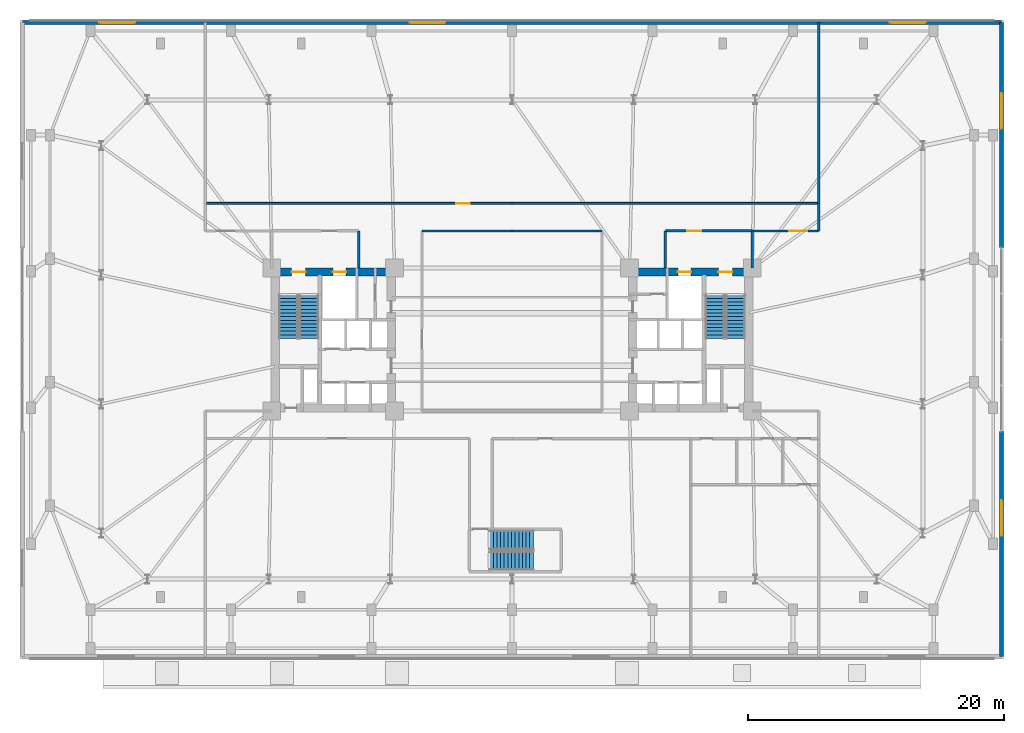
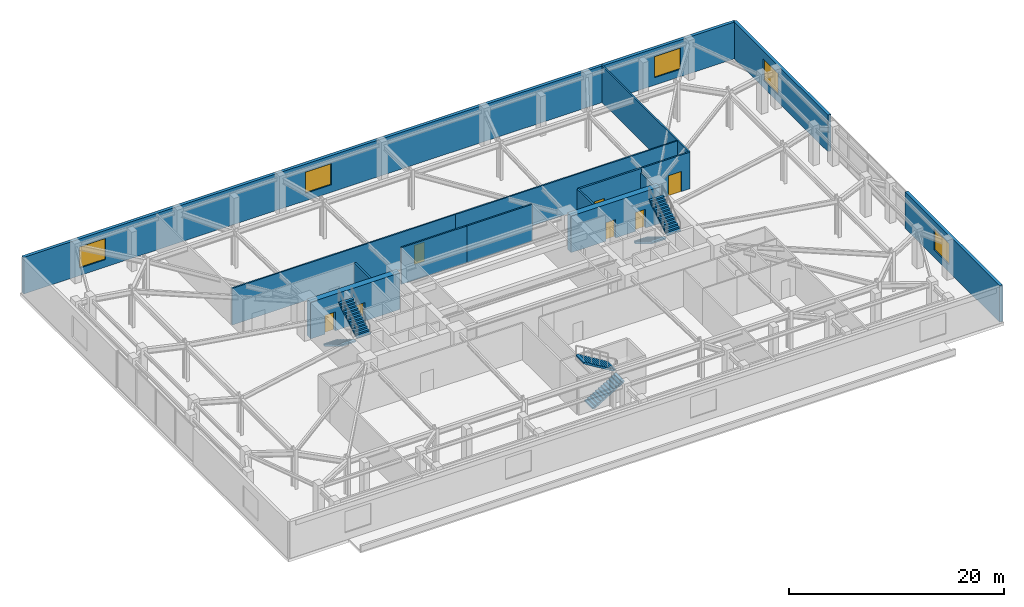
# One storey, part 17 of 21: 16 walls, 7 doors, 6 stair flights, 5 windows, 12 openings, 3 elements without a shape of their own.
"""IFC4 building model written with IfcOpenShell, lengths in metres."""

import ifcopenshell
import ifcopenshell.guid

model = None  # the IFC model being written
_history = None  # IfcOwnerHistory: only IFC2X3 demands one
_inside = {}  # id of a spatial element -> (the spatial element, [elements in it])
_under = {}  # id of a project, library or spatial element -> (it, [spatial elements below it])
_declared = {}  # id of a project -> (the project, [libraries it declares])
_typed = {}  # id of a type object -> (the type object, [elements of that type])
_made_of = {}  # id of a material, layer set ... -> (it, [elements and type objects made of it])


def new_model(schema):
    """Start an empty IFC model of exactly this schema.

    Asked for "IFC4X3", IfcOpenShell would pick the latest addendum, in which some entities
    have other attributes; the version numbers below select the first issue.
    IFC2X3 requires an IfcOwnerHistory on every rooted entity: one is made here for all.
    """
    global model, _history
    if schema == "IFC4X3":
        model = ifcopenshell.file(schema_version=(4, 3, 0, 0))
    else:
        model = ifcopenshell.file(schema=schema)
    _inside.clear()
    _under.clear()
    _declared.clear()
    _typed.clear()
    _made_of.clear()
    _history = None
    if model.schema == "IFC2X3":
        org = make("IfcOrganization", Name="unknown")
        user = make(
            "IfcPersonAndOrganization",
            ThePerson=make("IfcPerson", FamilyName="unknown"),
            TheOrganization=org,
        )
        app = make(
            "IfcApplication",
            ApplicationDeveloper=org,
            Version="unknown",
            ApplicationFullName="unknown",
            ApplicationIdentifier="unknown",
        )
        _history = make(
            "IfcOwnerHistory",
            OwningUser=user,
            OwningApplication=app,
            ChangeAction="ADDED",
            CreationDate=0,
        )
    return model


def make(cls, **values):
    """One entity of the class cls with the attributes given. An attribute that is None is left unset."""
    return model.create_entity(
        cls, **{name: value for name, value in values.items() if value is not None}
    )


def rooted(cls, **values):
    """An entity with a GlobalId (a new one), such as an element, a storey or a relation."""
    return make(cls, GlobalId=ifcopenshell.guid.new(), OwnerHistory=_history, **values)


def si_unit(unit_type, name, prefix=None):
    """IfcSIUnit, for example si_unit("LENGTHUNIT", "METRE", prefix="MILLI")."""
    return make("IfcSIUnit", UnitType=unit_type, Prefix=prefix, Name=name)


def assignment(units):
    """IfcUnitAssignment: the units of a project."""
    return None if units is None else make("IfcUnitAssignment", Units=units)


def point(xyz):
    """IfcCartesianPoint."""
    return None if xyz is None else make("IfcCartesianPoint", Coordinates=xyz)


def direction(xyz):
    """IfcDirection."""
    return None if xyz is None else make("IfcDirection", DirectionRatios=xyz)


def frame(location, z_axis=None, x_axis=None):
    """IfcAxis2Placement3D, a coordinate frame: its origin and axes. An axis left out is left unset."""
    return make(
        "IfcAxis2Placement3D",
        Location=point(location),
        Axis=direction(z_axis),
        RefDirection=direction(x_axis),
    )


def frame_2d(location, x_axis=None):
    """IfcAxis2Placement2D, a coordinate frame in the plane: its origin and x axis."""
    return make(
        "IfcAxis2Placement2D", Location=point(location), RefDirection=direction(x_axis)
    )


def origin():
    """The frame at (0, 0, 0) with its axes left unset."""
    return frame((0.0, 0.0, 0.0))


def place(relative_to, where):
    """IfcLocalPlacement: puts the frame where relative to a parent placement (None: the world)."""
    return make(
        "IfcLocalPlacement", PlacementRelTo=relative_to, RelativePlacement=where
    )


def context(
    kind, dimensions, precision=None, world=None, true_north=None, identifier=None
):
    """IfcGeometricRepresentationContext, for example the 3D "Model" context."""
    return make(
        "IfcGeometricRepresentationContext",
        ContextIdentifier=identifier,
        ContextType=kind,
        CoordinateSpaceDimension=dimensions,
        Precision=precision,
        WorldCoordinateSystem=world,
        TrueNorth=true_north,
    )


def subcontext(parent, identifier, kind, view, scale=None):
    """IfcGeometricRepresentationSubContext, for example "Body" below "Model"."""
    return make(
        "IfcGeometricRepresentationSubContext",
        ContextIdentifier=identifier,
        ContextType=kind,
        ParentContext=parent,
        TargetScale=scale,
        TargetView=view,
    )


def project(units=None, contexts=None):
    """IfcProject with its units and contexts."""
    return rooted(
        "IfcProject",
        Name="project",
        RepresentationContexts=contexts,
        UnitsInContext=assignment(units),
    )


def spatial(cls, under=None, at=None, **own):
    """A site, building, storey or space (cls), placed at a placement, below another one or the project."""
    s = rooted(cls, ObjectPlacement=at, **own)
    if under is not None:
        _under.setdefault(under.id(), (under, []))[1].append(s)
    return s


def polyline(points):
    """IfcPolyline through the points."""
    return make("IfcPolyline", Points=[point(p) for p in points])


def profile(cls, at=None, kind="AREA", **sizes):
    """A parametric profile (cls). Its sizes go by their IFC names, for example OverallWidth=200.0."""
    return make(cls, ProfileType=kind, Position=at, **sizes)


def rectangle(**sizes):
    """IfcRectangleProfileDef."""
    return profile("IfcRectangleProfileDef", **sizes)


def outline(outer, holes=None, kind="AREA"):
    """IfcArbitraryClosedProfileDef: a profile drawn as a closed curve; with holes, ...WithVoids."""
    if holes is None:
        return make("IfcArbitraryClosedProfileDef", ProfileType=kind, OuterCurve=outer)
    return make(
        "IfcArbitraryProfileDefWithVoids",
        ProfileType=kind,
        OuterCurve=outer,
        InnerCurves=holes,
    )


def extrude(swept, where, along, depth):
    """IfcExtrudedAreaSolid: the profile swept, set in the frame where, extruded along a direction by depth."""
    return make(
        "IfcExtrudedAreaSolid",
        SweptArea=swept,
        Position=where,
        ExtrudedDirection=direction(along),
        Depth=depth,
    )


def shape(context_of_items, identifier, shape_type, items):
    """IfcShapeRepresentation: the items that make up one representation, for example the "Body"."""
    return make(
        "IfcShapeRepresentation",
        ContextOfItems=context_of_items,
        RepresentationIdentifier=identifier,
        RepresentationType=shape_type,
        Items=items,
    )


def material(Name=None, Category=None):
    """IfcMaterial."""
    return make("IfcMaterial", Name=Name, Category=Category)


def layer(
    of_material, thickness, ventilated=None, Name=None, Category=None, Priority=None
):
    """IfcMaterialLayer: one layer of a wall or slab, of a material (None: an air gap)."""
    return make(
        "IfcMaterialLayer",
        Material=of_material,
        LayerThickness=thickness,
        IsVentilated=ventilated,
        Name=Name,
        Category=Category,
        Priority=Priority,
    )


def layer_set(layers, Name=None):
    """IfcMaterialLayerSet."""
    return make("IfcMaterialLayerSet", MaterialLayers=layers, LayerSetName=Name)


def made_of(thing, what):
    """Note that an element or type object is made of a material, layer set ...; save() writes the relation."""
    if what is not None:
        _made_of.setdefault(what.id(), (what, []))[1].append(thing)
    return thing


def type_object(cls, material=None, **own):
    """A type object (cls), such as IfcWallType, which elements share."""
    return made_of(rooted(cls, **own), material)


def element(
    cls,
    number,
    at=None,
    inside=None,
    cuts=None,
    type_object=None,
    material=None,
    context=None,
    identifier="Body",
    shape_type=None,
    held_by="IfcProductDefinitionShape",
    body=None,
    shapes=None,
    **own,
):
    """One element of the class cls, such as IfcWall. Its Tag is "e" and its number.

    at: its placement. inside: the storey or other place that contains it. cuts: it is an
    opening in that element (IfcRelVoidsElement). A single representation is given by context,
    identifier, shape_type and body (its items); several are given by shapes. held_by: the class
    of the entity that holds the representations. save() writes the other relations.
    """
    e = rooted(cls, Tag="e%d" % number, ObjectPlacement=at, **own)
    if body is not None:
        shapes = [shape(context, identifier, shape_type, body)]
    if shapes is not None:
        e.Representation = make(held_by, Representations=shapes)
    if inside is not None:
        _inside.setdefault(inside.id(), (inside, []))[1].append(e)
    if cuts is not None:
        rooted(
            "IfcRelVoidsElement", RelatingBuildingElement=cuts, RelatedOpeningElement=e
        )
    if type_object is not None:
        _typed.setdefault(type_object.id(), (type_object, []))[1].append(e)
    return made_of(e, material)


def fill(opening, filler):
    """IfcRelFillsElement: the door or window that sits in an opening."""
    return rooted(
        "IfcRelFillsElement",
        RelatingOpeningElement=opening,
        RelatedBuildingElement=filler,
    )


def aggregate(whole, parts):
    """IfcRelAggregates: a whole, such as a stair, and the parts it consists of."""
    return rooted("IfcRelAggregates", RelatingObject=whole, RelatedObjects=parts)


def save(model, path):
    """Write the relations noted so far, then the file.

    IfcRelAggregates (storeys below a building ...), IfcRelContainedInSpatialStructure (elements
    in a storey), IfcRelDefinesByType, IfcRelAssociatesMaterial and IfcRelDeclares: one each for
    every whole, place, type object, material and project.
    """
    for whole, parts in _under.values():
        aggregate(whole, parts)
    for where, things in _inside.values():
        rooted(
            "IfcRelContainedInSpatialStructure",
            RelatedElements=things,
            RelatingStructure=where,
        )
    for kind, things in _typed.values():
        rooted("IfcRelDefinesByType", RelatedObjects=things, RelatingType=kind)
    for what, things in _made_of.values():
        rooted("IfcRelAssociatesMaterial", RelatedObjects=things, RelatingMaterial=what)
    for by, libraries in _declared.values():
        rooted("IfcRelDeclares", RelatingContext=by, RelatedDefinitions=libraries)
    model.write(path)


model = new_model("IFC4")

# Units and contexts
model_context = context("Model", 3, precision=1e-05, world=origin(), true_north=direction((0.0, 1.0)))
body_context = subcontext(model_context, "Body", "Model", "MODEL_VIEW")
ifc_project = project(units=[si_unit("LENGTHUNIT", "METRE"), si_unit("AREAUNIT", "SQUARE_METRE"), si_unit("VOLUMEUNIT", "CUBIC_METRE"), si_unit("PLANEANGLEUNIT", "RADIAN"), si_unit("MASSUNIT", "GRAM", prefix="KILO")], contexts=[model_context])

# Site, building, storey
site_placement = place(None, origin())
site = spatial("IfcSite", under=ifc_project, at=site_placement, CompositionType="ELEMENT")
building_placement = place(site_placement, origin())
building = spatial("IfcBuilding", under=site, at=building_placement, Name="Qobustan Lattice House", CompositionType="ELEMENT")
storey_placement = place(building_placement, frame((0.0, 0.0, 4.5)))
storey = spatial("IfcBuildingStorey", under=building, at=storey_placement, Name="L01", CompositionType="ELEMENT", Elevation=4.5)

# Wall, openings, doors
ifc_material_1 = material(Name="Concrete C60/75", Category="concrete")
ifc_layer_1 = layer(ifc_material_1, 0.639892578125)
ifc_layer_set_1 = layer_set([ifc_layer_1], Name="Concrete C60/75")
wall_type_1 = type_object("IfcWallType", Name="WAL-CORE-640", PredefinedType="SHEAR", material=ifc_layer_set_1)
wall_1_placement = place(storey_placement, frame((-18.800048828125, 5.280029296875, 0.0), z_axis=(0.0, 0.0, 1.0), x_axis=(1.0, 0.0, 0.0)))
wall_1 = element("IfcWall", 1, at=wall_1_placement, inside=storey, type_object=wall_type_1, Name="L01 split-core shear wall CW-N", PredefinedType="SHEAR", context=body_context, shape_type="SweptSolid", body=[
    extrude(rectangle(XDim=9.60009765625, YDim=0.639892578125, at=frame_2d((4.800048828125, 0.0))), origin(), (0.0, 0.0, 1.0), 4.169921875),
])
opening_1_placement = place(wall_1_placement, frame((1.550048828125, 0.0, 0.0)))
opening_1 = element("IfcOpeningElement", 2, at=opening_1_placement, cuts=wall_1, Name="Opening SD-01", PredefinedType="OPENING", context=body_context, shape_type="SweptSolid", body=[
    extrude(rectangle(XDim=1.10009765625, YDim=2.14990234375, at=frame_2d((0.550048828125, 1.074951171875))), frame((0.0, 0.329833984375, 0.0), z_axis=(0.0, -1.0, 0.0), x_axis=(1.0, 0.0, 0.0)), (0.0, 0.0, 1.0), 0.659912109375),
])
opening_2_placement = place(wall_1_placement, frame((4.77490234375, 0.0, 0.0)))
opening_2 = element("IfcOpeningElement", 3, at=opening_2_placement, cuts=wall_1, Name="Opening LD-01", PredefinedType="OPENING", context=body_context, shape_type="SweptSolid", body=[
    extrude(rectangle(XDim=1.050048828125, YDim=2.10009765625, at=frame_2d((0.52490234375, 1.050048828125))), frame((0.0, 0.329833984375, 0.0), z_axis=(0.0, -1.0, 0.0), x_axis=(1.0, 0.0, 0.0)), (0.0, 0.0, 1.0), 0.659912109375),
])
ifc_material_2 = material(Name="Persian walnut timber and steel frame door", Category="steel")
door_type_1 = type_object("IfcDoorType", Name="DOR-LIFT-LD-1050x2100", OperationType="NOTDEFINED", PredefinedType="DOOR", material=ifc_material_2)
door_1_placement = place(opening_2_placement, origin())
door_1 = element("IfcDoor", 4, at=door_1_placement, inside=storey, type_object=door_type_1, Name="L01 firefighting lift FF-W landing door", OperationType="DOUBLE_DOOR_SLIDING", OverallHeight=2.10009765625, OverallWidth=1.050048828125, PredefinedType="DOOR", context=body_context, shape_type="SweptSolid", body=[
    extrude(rectangle(XDim=1.050048828125, YDim=2.10009765625, at=frame_2d((0.52490234375, 1.050048828125))), frame((0.0, 0.02490234375, 0.0), z_axis=(0.0, -1.0, 0.0), x_axis=(1.0, 0.0, 0.0)), (0.0, 0.0, 1.0), 0.050048828125),
])
fill(opening_2, door_1)
ifc_material_3 = material(Name="Persian walnut timber and steel frame door", Category="steel")
door_type_2 = type_object("IfcDoorType", Name="DOR-STAIR-FD-1100x2150", OperationType="NOTDEFINED", PredefinedType="DOOR", material=ifc_material_3)
door_2_placement = place(opening_1_placement, origin())
door_2 = element("IfcDoor", 5, at=door_2_placement, inside=storey, type_object=door_type_2, Name="L01 exit stair ST-W1 fire door", OperationType="SINGLE_SWING_LEFT", OverallHeight=2.14990234375, OverallWidth=1.10009765625, PredefinedType="DOOR", context=body_context, shape_type="SweptSolid", body=[
    extrude(rectangle(XDim=1.10009765625, YDim=2.14990234375, at=frame_2d((0.550048828125, 1.074951171875))), frame((0.0, 0.02490234375, 0.0), z_axis=(0.0, -1.0, 0.0), x_axis=(1.0, 0.0, 0.0)), (0.0, 0.0, 1.0), 0.050048828125),
])
fill(opening_1, door_2)

wall_2_placement = place(storey_placement, frame((9.199951171875, 5.280029296875, 0.0), z_axis=(0.0, 0.0, 1.0), x_axis=(1.0, 0.0, 0.0)))
wall_2 = element("IfcWall", 6, at=wall_2_placement, inside=storey, type_object=wall_type_1, Name="L01 split-core shear wall CE-N", PredefinedType="SHEAR", context=body_context, shape_type="SweptSolid", body=[
    extrude(rectangle(XDim=9.60009765625, YDim=0.639892578125, at=frame_2d((4.800048828125, 0.0))), origin(), (0.0, 0.0, 1.0), 4.169921875),
])
opening_3_placement = place(wall_2_placement, frame((6.949951171875, 0.0, 0.0)))
opening_3 = element("IfcOpeningElement", 7, at=opening_3_placement, cuts=wall_2, Name="Opening SD-01", PredefinedType="OPENING", context=body_context, shape_type="SweptSolid", body=[
    extrude(rectangle(XDim=1.10009765625, YDim=2.14990234375, at=frame_2d((0.550048828125, 1.074951171875))), frame((0.0, 0.329833984375, 0.0), z_axis=(0.0, -1.0, 0.0), x_axis=(1.0, 0.0, 0.0)), (0.0, 0.0, 1.0), 0.659912109375),
])
opening_4_placement = place(wall_2_placement, frame((3.77490234375, 0.0, 0.0)))
opening_4 = element("IfcOpeningElement", 8, at=opening_4_placement, cuts=wall_2, Name="Opening LD-01", PredefinedType="OPENING", context=body_context, shape_type="SweptSolid", body=[
    extrude(rectangle(XDim=1.050048828125, YDim=2.10009765625, at=frame_2d((0.52490234375, 1.050048828125))), frame((0.0, 0.329833984375, 0.0), z_axis=(0.0, -1.0, 0.0), x_axis=(1.0, 0.0, 0.0)), (0.0, 0.0, 1.0), 0.659912109375),
])
door_3_placement = place(opening_4_placement, origin())
door_3 = element("IfcDoor", 9, at=door_3_placement, inside=storey, type_object=door_type_1, Name="L01 firefighting lift FF-E landing door", OperationType="DOUBLE_DOOR_SLIDING", OverallHeight=2.10009765625, OverallWidth=1.050048828125, PredefinedType="DOOR", context=body_context, shape_type="SweptSolid", body=[
    extrude(rectangle(XDim=1.050048828125, YDim=2.10009765625, at=frame_2d((0.52490234375, 1.050048828125))), frame((0.0, 0.02490234375, 0.0), z_axis=(0.0, -1.0, 0.0), x_axis=(1.0, 0.0, 0.0)), (0.0, 0.0, 1.0), 0.050048828125),
])
fill(opening_4, door_3)
door_4_placement = place(opening_3_placement, origin())
door_4 = element("IfcDoor", 10, at=door_4_placement, inside=storey, type_object=door_type_2, Name="L01 exit stair ST-E1 fire door", OperationType="SINGLE_SWING_RIGHT", OverallHeight=2.14990234375, OverallWidth=1.10009765625, PredefinedType="DOOR", context=body_context, shape_type="SweptSolid", body=[
    extrude(rectangle(XDim=1.10009765625, YDim=2.14990234375, at=frame_2d((0.550048828125, 1.074951171875))), frame((0.0, 0.02490234375, 0.0), z_axis=(0.0, -1.0, 0.0), x_axis=(1.0, 0.0, 0.0)), (0.0, 0.0, 1.0), 0.050048828125),
])
fill(opening_3, door_4)

# Wall, openings, windows
ifc_material_4 = material(Name="Precast concrete C40/50", Category="concrete")
ifc_layer_2 = layer(ifc_material_4, 0.320068359375)
ifc_layer_set_2 = layer_set([ifc_layer_2], Name="Precast concrete C40/50")
wall_type_2 = type_object("IfcWallType", Name="WAL-EXT-STONE-320", PredefinedType="SOLIDWALL", material=ifc_layer_set_2)
wall_3_placement = place(storey_placement, frame((-38.300048828125, 24.800048828125, 0.0), z_axis=(0.0, 0.0, 1.0), x_axis=(1.0, 0.0, 0.0)))
wall_3 = element("IfcWall", 11, at=wall_3_placement, inside=storey, type_object=wall_type_2, Name="L01 exterior limestone-clad wall 2", PredefinedType="SOLIDWALL", context=body_context, shape_type="SweptSolid", body=[
    extrude(rectangle(XDim=76.60009765625, YDim=0.320068359375, at=frame_2d((38.300048828125, 0.0))), origin(), (0.0, 0.0, 1.0), 4.169921875),
])
opening_5_placement = place(wall_3_placement, frame((6.00390625, 0.0, 0.85009765625)))
opening_5 = element("IfcOpeningElement", 12, at=opening_5_placement, cuts=wall_3, Name="Opening WN-17", PredefinedType="OPENING", context=body_context, shape_type="SweptSolid", body=[
    extrude(rectangle(XDim=2.800048828125, YDim=2.39990234375, at=frame_2d((1.39990234375, 1.199951171875))), frame((0.0, 0.169921875, 0.0), z_axis=(0.0, -1.0, 0.0), x_axis=(1.0, 0.0, 0.0)), (0.0, 0.0, 1.0), 0.340087890625),
])
opening_6_placement = place(wall_3_placement, frame((30.291259765625, 0.0, 0.85009765625)))
opening_6 = element("IfcOpeningElement", 13, at=opening_6_placement, cuts=wall_3, Name="Opening WN-17", PredefinedType="OPENING", context=body_context, shape_type="SweptSolid", body=[
    extrude(rectangle(XDim=2.800048828125, YDim=2.39990234375, at=frame_2d((1.39990234375, 1.199951171875))), frame((0.0, 0.169921875, 0.0), z_axis=(0.0, -1.0, 0.0), x_axis=(1.0, 0.0, 0.0)), (0.0, 0.0, 1.0), 0.340087890625),
])
opening_7_placement = place(wall_3_placement, frame((67.876220703125, 0.0, 0.85009765625)))
opening_7 = element("IfcOpeningElement", 14, at=opening_7_placement, cuts=wall_3, Name="Opening WN-17", PredefinedType="OPENING", context=body_context, shape_type="SweptSolid", body=[
    extrude(rectangle(XDim=2.800048828125, YDim=2.39990234375, at=frame_2d((1.39990234375, 1.199951171875))), frame((0.0, 0.169921875, 0.0), z_axis=(0.0, -1.0, 0.0), x_axis=(1.0, 0.0, 0.0)), (0.0, 0.0, 1.0), 0.340087890625),
])
ifc_material_5 = material(Name="Double-glazed low-E aluminium window", Category="aluminium")
window_type = type_object("IfcWindowType", Name="WIN-POD-2800x2400", PartitioningType="SINGLE_PANEL", PredefinedType="WINDOW", material=ifc_material_5)
window_1_placement = place(opening_5_placement, origin())
window_1 = element("IfcWindow", 15, at=window_1_placement, inside=storey, type_object=window_type, Name="L01 Academic reference library window", OverallHeight=2.39990234375, OverallWidth=2.800048828125, PartitioningType="SINGLE_PANEL", PredefinedType="WINDOW", context=body_context, shape_type="SweptSolid", body=[
    extrude(rectangle(XDim=2.800048828125, YDim=2.39990234375, at=frame_2d((1.39990234375, 1.199951171875))), frame((0.0, 0.030029296875, 0.0), z_axis=(0.0, -1.0, 0.0), x_axis=(1.0, 0.0, 0.0)), (0.0, 0.0, 1.0), 0.06005859375),
])
fill(opening_5, window_1)
window_2_placement = place(opening_6_placement, origin())
window_2 = element("IfcWindow", 16, at=window_2_placement, inside=storey, type_object=window_type, Name="L01 Digital media study commons window", OverallHeight=2.39990234375, OverallWidth=2.800048828125, PartitioningType="SINGLE_PANEL", PredefinedType="WINDOW", context=body_context, shape_type="SweptSolid", body=[
    extrude(rectangle(XDim=2.800048828125, YDim=2.39990234375, at=frame_2d((1.39990234375, 1.199951171875))), frame((0.0, 0.030029296875, 0.0), z_axis=(0.0, -1.0, 0.0), x_axis=(1.0, 0.0, 0.0)), (0.0, 0.0, 1.0), 0.06005859375),
])
fill(opening_6, window_2)
window_3_placement = place(opening_7_placement, origin())
window_3 = element("IfcWindow", 17, at=window_3_placement, inside=storey, type_object=window_type, Name="L01 Quiet reading hall window", OverallHeight=2.39990234375, OverallWidth=2.800048828125, PartitioningType="SINGLE_PANEL", PredefinedType="WINDOW", context=body_context, shape_type="SweptSolid", body=[
    extrude(rectangle(XDim=2.800048828125, YDim=2.39990234375, at=frame_2d((1.39990234375, 1.199951171875))), frame((0.0, 0.030029296875, 0.0), z_axis=(0.0, -1.0, 0.0), x_axis=(1.0, 0.0, 0.0)), (0.0, 0.0, 1.0), 0.06005859375),
])
fill(opening_7, window_3)

# Wall, opening, window
wall_4_placement = place(storey_placement, frame((38.300048828125, 24.800048828125, 0.0), z_axis=(0.0, 0.0, 1.0), x_axis=(0.0, -1.0, 0.0)))
wall_4 = element("IfcWall", 18, at=wall_4_placement, inside=storey, type_object=wall_type_2, Name="L01 podium stone wall 3A", PredefinedType="SOLIDWALL", context=body_context, shape_type="SweptSolid", body=[
    extrude(rectangle(XDim=17.60009765625, YDim=0.320068359375, at=frame_2d((8.800048828125, 0.0))), origin(), (0.0, 0.0, 1.0), 4.169921875),
])
opening_8_placement = place(wall_4_placement, frame((5.52197265625, 0.0, 0.85009765625)))
opening_8 = element("IfcOpeningElement", 19, at=opening_8_placement, cuts=wall_4, Name="Opening WN-17", PredefinedType="OPENING", context=body_context, shape_type="SweptSolid", body=[
    extrude(rectangle(XDim=2.800048828125, YDim=2.39990234375, at=frame_2d((1.39990234375, 1.199951171875))), frame((0.0, 0.169921875, 0.0), z_axis=(0.0, -1.0, 0.0), x_axis=(1.0, 0.0, 0.0)), (0.0, 0.0, 1.0), 0.340087890625),
])
window_4_placement = place(opening_8_placement, origin())
window_4 = element("IfcWindow", 20, at=window_4_placement, inside=storey, type_object=window_type, Name="L01 Quiet reading hall window", OverallHeight=2.39990234375, OverallWidth=2.800048828125, PartitioningType="SINGLE_PANEL", PredefinedType="WINDOW", context=body_context, shape_type="SweptSolid", body=[
    extrude(rectangle(XDim=2.800048828125, YDim=2.39990234375, at=frame_2d((1.39990234375, 1.199951171875))), frame((0.0, 0.030029296875, 0.0), z_axis=(0.0, -1.0, 0.0), x_axis=(1.0, 0.0, 0.0)), (0.0, 0.0, 1.0), 0.06005859375),
])
fill(opening_8, window_4)

wall_5_placement = place(storey_placement, frame((38.300048828125, -7.199951171875, 0.0), z_axis=(0.0, 0.0, 1.0), x_axis=(0.0, -1.0, 0.0)))
wall_5 = element("IfcWall", 21, at=wall_5_placement, inside=storey, type_object=wall_type_2, Name="L01 podium stone wall 3B", PredefinedType="SOLIDWALL", context=body_context, shape_type="SweptSolid", body=[
    extrude(rectangle(XDim=17.60009765625, YDim=0.320068359375, at=frame_2d((8.800048828125, 0.0))), origin(), (0.0, 0.0, 1.0), 4.169921875),
])
opening_9_placement = place(wall_5_placement, frame((5.3701171875, 0.0, 0.85009765625)))
opening_9 = element("IfcOpeningElement", 22, at=opening_9_placement, cuts=wall_5, Name="Opening WN-17", PredefinedType="OPENING", context=body_context, shape_type="SweptSolid", body=[
    extrude(rectangle(XDim=2.800048828125, YDim=2.39990234375, at=frame_2d((1.39990234375, 1.199951171875))), frame((0.0, 0.169921875, 0.0), z_axis=(0.0, -1.0, 0.0), x_axis=(1.0, 0.0, 0.0)), (0.0, 0.0, 1.0), 0.340087890625),
])
window_5_placement = place(opening_9_placement, origin())
window_5 = element("IfcWindow", 23, at=window_5_placement, inside=storey, type_object=window_type, Name="L01 Quiet reading hall window", OverallHeight=2.39990234375, OverallWidth=2.800048828125, PartitioningType="SINGLE_PANEL", PredefinedType="WINDOW", context=body_context, shape_type="SweptSolid", body=[
    extrude(rectangle(XDim=2.800048828125, YDim=2.39990234375, at=frame_2d((1.39990234375, 1.199951171875))), frame((0.0, 0.030029296875, 0.0), z_axis=(0.0, -1.0, 0.0), x_axis=(1.0, 0.0, 0.0)), (0.0, 0.0, 1.0), 0.06005859375),
])
fill(opening_9, window_5)

# Wall, opening, door
ifc_material_6 = material(Name="Acoustic twin-stud gypsum partition", Category="gypsum")
ifc_layer_3 = layer(ifc_material_6, 0.14990234375)
ifc_layer_set_3 = layer_set([ifc_layer_3], Name="Acoustic twin-stud gypsum partition")
wall_type_3 = type_object("IfcWallType", Name="WAL-PART-150", PredefinedType="PARTITIONING", material=ifc_layer_set_3)
wall_6_placement = place(storey_placement, frame((-24.0, 10.64990234375, 0.0), z_axis=(0.0, 0.0, 1.0), x_axis=(1.0, 0.0, 0.0)))
wall_6 = element("IfcWall", 24, at=wall_6_placement, inside=storey, type_object=wall_type_3, Name="L01 interior partition 40", PredefinedType="PARTITIONING", context=body_context, shape_type="SweptSolid", body=[
    extrude(rectangle(XDim=24.0, YDim=0.14990234375, at=frame_2d((12.0, 0.0))), origin(), (0.0, 0.0, 1.0), 4.169921875),
])
opening_10_placement = place(wall_6_placement, frame((19.646240234375, 0.0, 0.0)))
opening_10 = element("IfcOpeningElement", 25, at=opening_10_placement, cuts=wall_6, Name="Opening ID-02", PredefinedType="OPENING", context=body_context, shape_type="SweptSolid", body=[
    extrude(rectangle(XDim=1.050048828125, YDim=2.14990234375, at=frame_2d((0.52490234375, 1.074951171875))), frame((0.0, 0.0849609375, 0.0), z_axis=(0.0, -1.0, 0.0), x_axis=(1.0, 0.0, 0.0)), (0.0, 0.0, 1.0), 0.169921875),
])
ifc_material_7 = material(Name="Persian walnut timber and steel frame door", Category="steel")
door_type_3 = type_object("IfcDoorType", Name="DOR-STUDY-1050x2150", OperationType="NOTDEFINED", PredefinedType="DOOR", material=ifc_material_7)
door_5_placement = place(opening_10_placement, origin())
door_5 = element("IfcDoor", 26, at=door_5_placement, inside=storey, type_object=door_type_3, Name="L01 North-west podium corridor to Digital media study commons door", OperationType="SINGLE_SWING_LEFT", OverallHeight=2.14990234375, OverallWidth=1.050048828125, PredefinedType="DOOR", context=body_context, shape_type="SweptSolid", body=[
    extrude(rectangle(XDim=1.050048828125, YDim=2.14990234375, at=frame_2d((0.52490234375, 1.074951171875))), frame((0.0, 0.02490234375, 0.0), z_axis=(0.0, -1.0, 0.0), x_axis=(1.0, 0.0, 0.0)), (0.0, 0.0, 1.0), 0.050048828125),
])
fill(opening_10, door_5)

# Walls
wall_7_placement = place(storey_placement, frame((0.0, 10.64990234375, 0.0), z_axis=(0.0, 0.0, 1.0), x_axis=(1.0, 0.0, 0.0)))
element("IfcWall", 27, at=wall_7_placement, inside=storey, type_object=wall_type_3, Name="L01 interior partition 42", PredefinedType="PARTITIONING", context=body_context, shape_type="SweptSolid", body=[
    extrude(rectangle(XDim=24.0, YDim=0.14990234375, at=frame_2d((12.0, 0.0))), origin(), (0.0, 0.0, 1.0), 4.169921875),
])
ifc_material_8 = material(Name="High-mass acoustic twin-stud partition", Category="gypsum")
ifc_layer_4 = layer(ifc_material_8, 0.1650390625)
ifc_layer_set_4 = layer_set([ifc_layer_4], Name="High-mass acoustic twin-stud partition")
wall_type_4 = type_object("IfcWallType", Name="WAL-PART-165", PredefinedType="PARTITIONING", material=ifc_layer_set_4)
for number, where, z_axis, x_axis, name in (
    (28, (0.0, 8.5, 0.0), (0.0, 0.0, 1.0), (-1.0, 0.0, 0.0), "L01 interior partition 41"),
    (29, (7.050048828125, 8.5, 0.0), (0.0, 0.0, 1.0), (-1.0, 0.0, 0.0), "L01 interior partition 43"),
):
    element("IfcWall", number, at=place(storey_placement, frame(where, z_axis=z_axis, x_axis=x_axis)), inside=storey, type_object=wall_type_4, Name=name, PredefinedType="PARTITIONING", context=body_context, shape_type="SweptSolid", body=[
        extrude(rectangle(XDim=7.050048828125, YDim=0.1650390625, at=frame_2d((3.52490234375, 0.0))), origin(), (0.0, 0.0, 1.0), 4.169921875),
    ])

# Wall, opening, door
wall_8_placement = place(storey_placement, frame((24.0, 8.5, 0.0), z_axis=(0.0, 0.0, 1.0), x_axis=(-1.0, 0.0, 0.0)))
wall_8 = element("IfcWall", 30, at=wall_8_placement, inside=storey, type_object=wall_type_4, Name="L01 interior partition 44", PredefinedType="PARTITIONING", context=body_context, shape_type="SweptSolid", body=[
    extrude(rectangle(XDim=5.199951171875, YDim=0.1650390625, at=frame_2d((2.60009765625, 0.0))), origin(), (0.0, 0.0, 1.0), 4.169921875),
])
opening_11_placement = place(wall_8_placement, frame((0.909912109375, 0.0, 0.0)))
opening_11 = element("IfcOpeningElement", 31, at=opening_11_placement, cuts=wall_8, Name="Opening ID-04", PredefinedType="OPENING", context=body_context, shape_type="SweptSolid", body=[
    extrude(rectangle(XDim=1.39990234375, YDim=2.300048828125, at=frame_2d((0.699951171875, 1.14990234375))), frame((0.0, 0.092529296875, 0.0), z_axis=(0.0, -1.0, 0.0), x_axis=(1.0, 0.0, 0.0)), (0.0, 0.0, 1.0), 0.18505859375),
])
ifc_material_9 = material(Name="Persian walnut timber and steel frame door", Category="steel")
door_type_4 = type_object("IfcDoorType", Name="DOR-POD-1400x2300", OperationType="NOTDEFINED", PredefinedType="DOOR", material=ifc_material_9)
door_6_placement = place(opening_11_placement, origin())
door_6 = element("IfcDoor", 32, at=door_6_placement, inside=storey, type_object=door_type_4, Name="L01 North-east podium corridor to Quiet reading hall door", OperationType="SINGLE_SWING_RIGHT", OverallHeight=2.300048828125, OverallWidth=1.39990234375, PredefinedType="DOOR", context=body_context, shape_type="SweptSolid", body=[
    extrude(rectangle(XDim=1.39990234375, YDim=2.300048828125, at=frame_2d((0.699951171875, 1.14990234375))), frame((0.0, 0.02490234375, 0.0), z_axis=(0.0, -1.0, 0.0), x_axis=(1.0, 0.0, 0.0)), (0.0, 0.0, 1.0), 0.050048828125),
])
fill(opening_11, door_6)

# Walls
wall_9_placement = place(storey_placement, frame((24.0, 10.64990234375, 0.0), z_axis=(0.0, 0.0, 1.0), x_axis=(0.0, -1.0, 0.0)))
element("IfcWall", 33, at=wall_9_placement, inside=storey, type_object=wall_type_4, Name="L01 interior partition 45", PredefinedType="PARTITIONING", context=body_context, shape_type="SweptSolid", body=[
    extrude(rectangle(XDim=2.14990234375, YDim=0.1650390625, at=frame_2d((1.074951171875, 0.0))), origin(), (0.0, 0.0, 1.0), 4.169921875),
])
wall_10_placement = place(storey_placement, frame((24.0, 24.800048828125, 0.0), z_axis=(0.0, 0.0, 1.0), x_axis=(0.0, -1.0, 0.0)))
element("IfcWall", 34, at=wall_10_placement, inside=storey, type_object=wall_type_4, Name="L01 interior partition 64", PredefinedType="PARTITIONING", context=body_context, shape_type="SweptSolid", body=[
    extrude(rectangle(XDim=14.150146484375, YDim=0.1650390625, at=frame_2d((7.0751953125, 0.0))), origin(), (0.0, 0.0, 1.0), 4.169921875),
])
ifc_material_10 = material(Name="Two-hour gypsum fireboard acoustic partition", Category="gypsum")
ifc_layer_5 = layer(ifc_material_10, 0.199951171875)
ifc_layer_set_5 = layer_set([ifc_layer_5], Name="Two-hour gypsum fireboard acoustic partition")
wall_type_5 = type_object("IfcWallType", Name="WAL-PROT-200", PredefinedType="PARTITIONING", material=ifc_layer_set_5)
wall_11_placement = place(storey_placement, frame((-12.0, 5.60009765625, 0.0), z_axis=(0.0, 0.0, 1.0), x_axis=(0.0, 1.0, 0.0)))
element("IfcWall", 35, at=wall_11_placement, inside=storey, type_object=wall_type_5, Name="L01 interior partition 4", PredefinedType="PARTITIONING", context=body_context, shape_type="SweptSolid", body=[
    extrude(rectangle(XDim=2.89990234375, YDim=0.199951171875, at=frame_2d((1.449951171875, 0.0))), origin(), (0.0, 0.0, 1.0), 4.169921875),
])

# Wall, opening, door
wall_12_placement = place(storey_placement, frame((18.800048828125, 8.5, 0.0), z_axis=(0.0, 0.0, 1.0), x_axis=(-1.0, 0.0, 0.0)))
wall_12 = element("IfcWall", 36, at=wall_12_placement, inside=storey, type_object=wall_type_5, Name="L01 interior partition 22", PredefinedType="PARTITIONING", context=body_context, shape_type="SweptSolid", body=[
    extrude(rectangle(XDim=6.800048828125, YDim=0.199951171875, at=frame_2d((3.39990234375, 0.0))), origin(), (0.0, 0.0, 1.0), 4.169921875),
])
opening_12_placement = place(wall_12_placement, frame((3.985107421875, 0.0, 0.0)))
opening_12 = element("IfcOpeningElement", 37, at=opening_12_placement, cuts=wall_12, Name="Opening SD-01", PredefinedType="OPENING", context=body_context, shape_type="SweptSolid", body=[
    extrude(rectangle(XDim=1.10009765625, YDim=2.14990234375, at=frame_2d((0.550048828125, 1.074951171875))), frame((0.0, 0.10986328125, 0.0), z_axis=(0.0, -1.0, 0.0), x_axis=(1.0, 0.0, 0.0)), (0.0, 0.0, 1.0), 0.219970703125),
])
door_7_placement = place(opening_12_placement, origin())
door_7 = element("IfcDoor", 38, at=door_7_placement, inside=storey, type_object=door_type_2, Name="L01 East firefighting lift lobby to North-east podium corridor door", OperationType="SINGLE_SWING_RIGHT", OverallHeight=2.14990234375, OverallWidth=1.10009765625, PredefinedType="DOOR", context=body_context, shape_type="SweptSolid", body=[
    extrude(rectangle(XDim=1.10009765625, YDim=2.14990234375, at=frame_2d((0.550048828125, 1.074951171875))), frame((0.0, 0.02490234375, 0.0), z_axis=(0.0, -1.0, 0.0), x_axis=(1.0, 0.0, 0.0)), (0.0, 0.0, 1.0), 0.050048828125),
])
fill(opening_12, door_7)

# Walls
wall_13_placement = place(storey_placement, frame((12.0, 8.5, 0.0), z_axis=(0.0, 0.0, 1.0), x_axis=(0.0, -1.0, 0.0)))
element("IfcWall", 39, at=wall_13_placement, inside=storey, type_object=wall_type_5, Name="L01 interior partition 23", PredefinedType="PARTITIONING", context=body_context, shape_type="SweptSolid", body=[
    extrude(rectangle(XDim=2.89990234375, YDim=0.199951171875, at=frame_2d((1.449951171875, 0.0))), origin(), (0.0, 0.0, 1.0), 4.169921875),
])
wall_14_placement = place(storey_placement, frame((18.800048828125, 5.60009765625, 0.0), z_axis=(0.0, 0.0, 1.0), x_axis=(0.0, 1.0, 0.0)))
element("IfcWall", 40, at=wall_14_placement, inside=storey, type_object=wall_type_5, Name="L01 interior partition 24", PredefinedType="PARTITIONING", context=body_context, shape_type="SweptSolid", body=[
    extrude(rectangle(XDim=2.89990234375, YDim=0.199951171875, at=frame_2d((1.449951171875, 0.0))), origin(), (0.0, 0.0, 1.0), 3.655029296875),
])

# Stair, stair flights
ifc_material_11 = material(Name="Concrete C40/50", Category="concrete")
stair_type_1 = type_object("IfcStairType", Name="STR-CORE-DOGLEG", PredefinedType="HALF_TURN_STAIR", material=ifc_material_11)
stair_1_placement = place(storey_placement, origin())
stair_1 = element("IfcStair", 41, at=stair_1_placement, inside=storey, type_object=stair_type_1, Name="L01 West protected exit stair ST-W1", PredefinedType="HALF_TURN_STAIR")
ifc_material_12 = material(Name="Concrete C40/50", Category="concrete")
stair_flight_type = type_object("IfcStairFlightType", Name="SFL-RC-1500", PredefinedType="STRAIGHT", material=ifc_material_12)
stair_flight_1_placement = place(storey_placement, frame((-17.5, 3.5, 0.0), z_axis=(0.0, 0.0, 1.0), x_axis=(0.0, -1.0, 0.0)))
stair_flight_1 = element("IfcStairFlight", 42, at=stair_flight_1_placement, type_object=stair_flight_type, Name="ST-W1 flight 1", NumberOfRisers=13, NumberOfTreads=12, PredefinedType="STRAIGHT", RiserHeight=0.173076923, TreadLength=0.285, context=body_context, shape_type="SweptSolid", body=[
    extrude(outline(polyline([(0.0, 0.0), (0.0, 0.173095703125), (0.284912109375, 0.173095703125), (0.284912109375, 0.34619140625), (0.570068359375, 0.34619140625), (0.570068359375, 0.519287109375), (0.85498046875, 0.519287109375), (0.85498046875, 0.6923828125), (1.139892578125, 0.6923828125), (1.139892578125, 0.865478515625), (1.425048828125, 0.865478515625), (1.425048828125, 1.03857421875), (1.7099609375, 1.03857421875), (1.7099609375, 1.21142578125), (1.9951171875, 1.21142578125), (1.9951171875, 1.384521484375), (2.280029296875, 1.384521484375), (2.280029296875, 1.5576171875), (2.56494140625, 1.5576171875), (2.56494140625, 1.730712890625), (2.85009765625, 1.730712890625), (2.85009765625, 1.90380859375), (3.135009765625, 1.90380859375), (3.135009765625, 2.076904296875), (3.419921875, 2.076904296875), (3.419921875, 2.25), (3.419921875, 1.901611328125), (0.288818359375, 0.0), (0.0, 0.0)])), frame((0.0, 0.75, 0.0), z_axis=(0.0, -1.0, 0.0), x_axis=(1.0, 0.0, 0.0)), (0.0, 0.0, 1.0), 1.5),
])
stair_flight_2_placement = place(storey_placement, frame((-15.8798828125, 0.080078125, 2.25), z_axis=(0.0, 0.0, 1.0), x_axis=(0.0, 1.0, 0.0)))
stair_flight_2 = element("IfcStairFlight", 43, at=stair_flight_2_placement, type_object=stair_flight_type, Name="ST-W1 flight 2", NumberOfRisers=13, NumberOfTreads=12, PredefinedType="STRAIGHT", RiserHeight=0.173076923, TreadLength=0.285, context=body_context, shape_type="SweptSolid", body=[
    extrude(outline(polyline([(0.0, 0.0), (0.0, 0.173095703125), (0.284912109375, 0.173095703125), (0.284912109375, 0.34619140625), (0.570068359375, 0.34619140625), (0.570068359375, 0.519287109375), (0.85498046875, 0.519287109375), (0.85498046875, 0.6923828125), (1.139892578125, 0.6923828125), (1.139892578125, 0.865478515625), (1.425048828125, 0.865478515625), (1.425048828125, 1.03857421875), (1.7099609375, 1.03857421875), (1.7099609375, 1.21142578125), (1.9951171875, 1.21142578125), (1.9951171875, 1.384521484375), (2.280029296875, 1.384521484375), (2.280029296875, 1.5576171875), (2.56494140625, 1.5576171875), (2.56494140625, 1.730712890625), (2.85009765625, 1.730712890625), (2.85009765625, 1.90380859375), (3.135009765625, 1.90380859375), (3.135009765625, 2.076904296875), (3.419921875, 2.076904296875), (3.419921875, 2.25), (3.419921875, 1.901611328125), (0.288818359375, 0.0), (0.0, 0.0)])), frame((0.0, 0.75, 0.0), z_axis=(0.0, -1.0, 0.0), x_axis=(1.0, 0.0, 0.0)), (0.0, 0.0, 1.0), 1.5),
])
aggregate(stair_1, [stair_flight_1, stair_flight_2])

stair_2_placement = place(storey_placement, origin())
stair_2 = element("IfcStair", 44, at=stair_2_placement, inside=storey, type_object=stair_type_1, Name="L01 East protected exit stair ST-E1", PredefinedType="HALF_TURN_STAIR")
stair_flight_3_placement = place(storey_placement, frame((15.8798828125, 3.5, 0.0), z_axis=(0.0, 0.0, 1.0), x_axis=(0.0, -1.0, 0.0)))
stair_flight_3 = element("IfcStairFlight", 45, at=stair_flight_3_placement, type_object=stair_flight_type, Name="ST-E1 flight 1", NumberOfRisers=13, NumberOfTreads=12, PredefinedType="STRAIGHT", RiserHeight=0.173076923, TreadLength=0.285, context=body_context, shape_type="SweptSolid", body=[
    extrude(outline(polyline([(0.0, 0.0), (0.0, 0.173095703125), (0.284912109375, 0.173095703125), (0.284912109375, 0.34619140625), (0.570068359375, 0.34619140625), (0.570068359375, 0.519287109375), (0.85498046875, 0.519287109375), (0.85498046875, 0.6923828125), (1.139892578125, 0.6923828125), (1.139892578125, 0.865478515625), (1.425048828125, 0.865478515625), (1.425048828125, 1.03857421875), (1.7099609375, 1.03857421875), (1.7099609375, 1.21142578125), (1.9951171875, 1.21142578125), (1.9951171875, 1.384521484375), (2.280029296875, 1.384521484375), (2.280029296875, 1.5576171875), (2.56494140625, 1.5576171875), (2.56494140625, 1.730712890625), (2.85009765625, 1.730712890625), (2.85009765625, 1.90380859375), (3.135009765625, 1.90380859375), (3.135009765625, 2.076904296875), (3.419921875, 2.076904296875), (3.419921875, 2.25), (3.419921875, 1.901611328125), (0.288818359375, 0.0), (0.0, 0.0)])), frame((0.0, 0.75, 0.0), z_axis=(0.0, -1.0, 0.0), x_axis=(1.0, 0.0, 0.0)), (0.0, 0.0, 1.0), 1.5),
])
stair_flight_4_placement = place(storey_placement, frame((17.5, 0.080078125, 2.25), z_axis=(0.0, 0.0, 1.0), x_axis=(0.0, 1.0, 0.0)))
stair_flight_4 = element("IfcStairFlight", 46, at=stair_flight_4_placement, type_object=stair_flight_type, Name="ST-E1 flight 2", NumberOfRisers=13, NumberOfTreads=12, PredefinedType="STRAIGHT", RiserHeight=0.173076923, TreadLength=0.285, context=body_context, shape_type="SweptSolid", body=[
    extrude(outline(polyline([(0.0, 0.0), (0.0, 0.173095703125), (0.284912109375, 0.173095703125), (0.284912109375, 0.34619140625), (0.570068359375, 0.34619140625), (0.570068359375, 0.519287109375), (0.85498046875, 0.519287109375), (0.85498046875, 0.6923828125), (1.139892578125, 0.6923828125), (1.139892578125, 0.865478515625), (1.425048828125, 0.865478515625), (1.425048828125, 1.03857421875), (1.7099609375, 1.03857421875), (1.7099609375, 1.21142578125), (1.9951171875, 1.21142578125), (1.9951171875, 1.384521484375), (2.280029296875, 1.384521484375), (2.280029296875, 1.5576171875), (2.56494140625, 1.5576171875), (2.56494140625, 1.730712890625), (2.85009765625, 1.730712890625), (2.85009765625, 1.90380859375), (3.135009765625, 1.90380859375), (3.135009765625, 2.076904296875), (3.419921875, 2.076904296875), (3.419921875, 2.25), (3.419921875, 1.901611328125), (0.288818359375, 0.0), (0.0, 0.0)])), frame((0.0, 0.75, 0.0), z_axis=(0.0, -1.0, 0.0), x_axis=(1.0, 0.0, 0.0)), (0.0, 0.0, 1.0), 1.5),
])
aggregate(stair_2, [stair_flight_3, stair_flight_4])

ifc_material_13 = material(Name="Concrete C40/50", Category="concrete")
stair_type_2 = type_object("IfcStairType", Name="STR-POD-DOGLEG", PredefinedType="DOUBLE_RETURN_STAIR", material=ifc_material_13)
stair_3_placement = place(storey_placement, origin())
stair_3 = element("IfcStair", 47, at=stair_3_placement, inside=storey, type_object=stair_type_2, Name="L01 Podium garden exit stair ST-P1", PredefinedType="DOUBLE_RETURN_STAIR")
stair_flight_5_placement = place(storey_placement, frame((-1.75, -17.31005859375, 0.0), z_axis=(0.0, 0.0, 1.0), x_axis=(1.0, 0.0, 0.0)))
stair_flight_5 = element("IfcStairFlight", 48, at=stair_flight_5_placement, type_object=stair_flight_type, Name="ST-P1 flight 1", NumberOfRisers=13, NumberOfTreads=12, PredefinedType="STRAIGHT", RiserHeight=0.173076923, TreadLength=0.285, context=body_context, shape_type="SweptSolid", body=[
    extrude(outline(polyline([(0.0, 0.0), (0.0, 0.173095703125), (0.284912109375, 0.173095703125), (0.284912109375, 0.34619140625), (0.570068359375, 0.34619140625), (0.570068359375, 0.519287109375), (0.85498046875, 0.519287109375), (0.85498046875, 0.6923828125), (1.139892578125, 0.6923828125), (1.139892578125, 0.865478515625), (1.425048828125, 0.865478515625), (1.425048828125, 1.03857421875), (1.7099609375, 1.03857421875), (1.7099609375, 1.21142578125), (1.9951171875, 1.21142578125), (1.9951171875, 1.384521484375), (2.280029296875, 1.384521484375), (2.280029296875, 1.5576171875), (2.56494140625, 1.5576171875), (2.56494140625, 1.730712890625), (2.85009765625, 1.730712890625), (2.85009765625, 1.90380859375), (3.135009765625, 1.90380859375), (3.135009765625, 2.076904296875), (3.419921875, 2.076904296875), (3.419921875, 2.25), (3.419921875, 1.901611328125), (0.288818359375, 0.0), (0.0, 0.0)])), frame((0.0, 0.75, 0.0), z_axis=(0.0, -1.0, 0.0), x_axis=(1.0, 0.0, 0.0)), (0.0, 0.0, 1.0), 1.5),
])
stair_flight_6_placement = place(storey_placement, frame((1.669921875, -15.68994140625, 2.25), z_axis=(0.0, 0.0, 1.0), x_axis=(-1.0, 0.0, 0.0)))
stair_flight_6 = element("IfcStairFlight", 49, at=stair_flight_6_placement, type_object=stair_flight_type, Name="ST-P1 flight 2", NumberOfRisers=13, NumberOfTreads=12, PredefinedType="STRAIGHT", RiserHeight=0.173076923, TreadLength=0.285, context=body_context, shape_type="SweptSolid", body=[
    extrude(outline(polyline([(0.0, 0.0), (0.0, 0.173095703125), (0.284912109375, 0.173095703125), (0.284912109375, 0.34619140625), (0.570068359375, 0.34619140625), (0.570068359375, 0.519287109375), (0.85498046875, 0.519287109375), (0.85498046875, 0.6923828125), (1.139892578125, 0.6923828125), (1.139892578125, 0.865478515625), (1.425048828125, 0.865478515625), (1.425048828125, 1.03857421875), (1.7099609375, 1.03857421875), (1.7099609375, 1.21142578125), (1.9951171875, 1.21142578125), (1.9951171875, 1.384521484375), (2.280029296875, 1.384521484375), (2.280029296875, 1.5576171875), (2.56494140625, 1.5576171875), (2.56494140625, 1.730712890625), (2.85009765625, 1.730712890625), (2.85009765625, 1.90380859375), (3.135009765625, 1.90380859375), (3.135009765625, 2.076904296875), (3.419921875, 2.076904296875), (3.419921875, 2.25), (3.419921875, 1.901611328125), (0.288818359375, 0.0), (0.0, 0.0)])), frame((0.0, 0.75, 0.0), z_axis=(0.0, -1.0, 0.0), x_axis=(1.0, 0.0, 0.0)), (0.0, 0.0, 1.0), 1.5),
])
aggregate(stair_3, [stair_flight_5, stair_flight_6])

save(model, "model.ifc")
